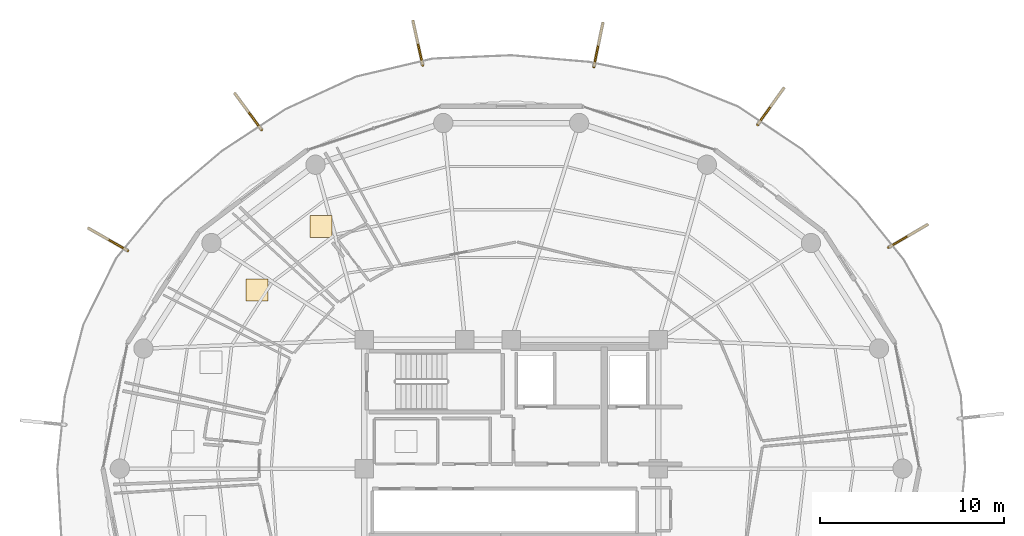
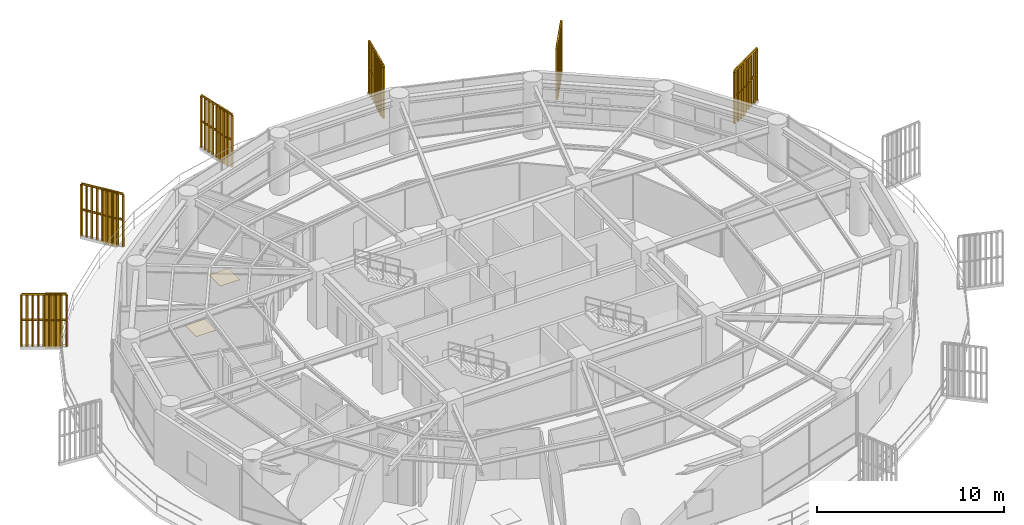
# One storey, part 31 of 31: 6 railings, 6 shading devices, 2 coverings.
"""IFC4 building model written with IfcOpenShell, lengths in metres."""

from ifc_helpers import new_model, si_unit, direction, frame, origin, origin_2d, place, context, subcontext, project, spatial, polyline, rectangle, outline, extrude, source, transform, mapped, material, layer, layer_set, type_object, element, save


model = new_model("IFC4")

# Units and contexts
model_context = context("Model", 3, precision=1e-05, world=origin(), true_north=direction((0.0, 1.0)))
body_context = subcontext(model_context, "Body", "Model", "MODEL_VIEW")
ifc_project = project(units=[si_unit("LENGTHUNIT", "METRE"), si_unit("AREAUNIT", "SQUARE_METRE"), si_unit("VOLUMEUNIT", "CUBIC_METRE"), si_unit("PLANEANGLEUNIT", "RADIAN"), si_unit("MASSUNIT", "GRAM", prefix="KILO")], contexts=[model_context])

# Site, building, storey
site_placement = place(None, origin())
site = spatial("IfcSite", under=ifc_project, at=site_placement, CompositionType="ELEMENT")
building_placement = place(site_placement, origin())
building = spatial("IfcBuilding", under=site, at=building_placement, Name="Kelanora Arch Commons", CompositionType="ELEMENT")
storey_placement = place(building_placement, frame((0.0, 0.0, 230.699951171875)))
storey = spatial("IfcBuildingStorey", under=building, at=storey_placement, Name="L59", CompositionType="ELEMENT", Elevation=230.699951171875)

# Railings
ifc_material_1 = material(Name="Anodised bronze vertical shading fin rib assembly")
railing_type = type_object("IfcRailingType", Name="RAIL-FIN-BRZ", PredefinedType="BALUSTRADE", material=ifc_material_1)
railing_1_placement = place(storey_placement, frame((94.521484375, 70.0302734375, -0.02001953125)))
element("IfcRailing", 1, at=railing_1_placement, inside=storey, type_object=railing_type, Name="Sweeping Bronze Vertical Fin Blade L59-03", PredefinedType="BALUSTRADE", context=body_context, shape_type="SweptSolid", body=[
    extrude(outline(polyline([(0.06982421875, 0.0), (0.034912109375, 0.060546875), (-0.034912109375, 0.060546875), (-0.06982421875, 0.0), (-0.034912109375, -0.060546875), (0.034912109375, -0.060546875), (0.06982421875, 0.0)])), frame((0.0, 0.0, 3.419921875), z_axis=(0.862690408519, 0.505732398655, 0.0), x_axis=(-0.505732398655, 0.862690408519, 0.0)), (0.0, 0.0, 1.0), 2.4287109375),
    extrude(outline(polyline([(0.06982421875, 0.0), (0.034912109375, 0.060546875), (-0.034912109375, 0.060546875), (-0.06982421875, 0.0), (-0.034912109375, -0.060546875), (0.034912109375, -0.060546875), (0.06982421875, 0.0)])), frame((0.0, 0.0, 1.7451171875), z_axis=(0.862690408519, 0.505732398655, 0.0), x_axis=(-0.505732398655, 0.862690408519, 0.0)), (0.0, 0.0, 1.0), 2.4287109375),
    extrude(outline(polyline([(0.080078125, 0.0), (0.0400390625, 0.0693359375), (-0.0400390625, 0.0693359375), (-0.080078125, 0.0), (-0.0400390625, -0.0693359375), (0.0400390625, -0.0693359375), (0.080078125, 0.0)])), origin(), (0.0, 0.0, 1.0), 3.35009765625),
    extrude(outline(polyline([(0.080078125, 0.0), (0.0400390625, 0.0693359375), (-0.0400390625, 0.0693359375), (-0.080078125, 0.0), (-0.0400390625, -0.0693359375), (0.0400390625, -0.0693359375), (0.080078125, 0.0)])), frame((0.261962890625, 0.153564453125, 0.0)), (0.0, 0.0, 1.0), 3.35009765625),
    extrude(outline(polyline([(0.080078125, 0.0), (0.0400390625, 0.0693359375), (-0.0400390625, 0.0693359375), (-0.080078125, 0.0), (-0.0400390625, -0.0693359375), (0.0400390625, -0.0693359375), (0.080078125, 0.0)])), frame((0.52392578125, 0.30712890625, 0.0)), (0.0, 0.0, 1.0), 3.35009765625),
    extrude(outline(polyline([(0.080078125, 0.0), (0.0400390625, 0.0693359375), (-0.0400390625, 0.0693359375), (-0.080078125, 0.0), (-0.0400390625, -0.0693359375), (0.0400390625, -0.0693359375), (0.080078125, 0.0)])), frame((0.78564453125, 0.460693359375, 0.0)), (0.0, 0.0, 1.0), 3.35009765625),
    extrude(outline(polyline([(0.080078125, 0.0), (0.0400390625, 0.0693359375), (-0.0400390625, 0.0693359375), (-0.080078125, 0.0), (-0.0400390625, -0.0693359375), (0.0400390625, -0.0693359375), (0.080078125, 0.0)])), frame((1.047607421875, 0.6142578125, 0.0)), (0.0, 0.0, 1.0), 3.35009765625),
    extrude(outline(polyline([(0.080078125, 0.0), (0.0400390625, 0.0693359375), (-0.0400390625, 0.0693359375), (-0.080078125, 0.0), (-0.0400390625, -0.0693359375), (0.0400390625, -0.0693359375), (0.080078125, 0.0)])), frame((1.3095703125, 0.767578125, 0.0)), (0.0, 0.0, 1.0), 3.35009765625),
    extrude(outline(polyline([(0.080078125, 0.0), (0.0400390625, 0.0693359375), (-0.0400390625, 0.0693359375), (-0.080078125, 0.0), (-0.0400390625, -0.0693359375), (0.0400390625, -0.0693359375), (0.080078125, 0.0)])), frame((1.5712890625, 0.921142578125, 0.0)), (0.0, 0.0, 1.0), 3.35009765625),
    extrude(outline(polyline([(0.080078125, 0.0), (0.0400390625, 0.0693359375), (-0.0400390625, 0.0693359375), (-0.080078125, 0.0), (-0.0400390625, -0.0693359375), (0.0400390625, -0.0693359375), (0.080078125, 0.0)])), frame((1.833251953125, 1.07470703125, 0.0)), (0.0, 0.0, 1.0), 3.35009765625),
    extrude(outline(polyline([(0.080078125, 0.0), (0.0400390625, 0.0693359375), (-0.0400390625, 0.0693359375), (-0.080078125, 0.0), (-0.0400390625, -0.0693359375), (0.0400390625, -0.0693359375), (0.080078125, 0.0)])), frame((2.09521484375, 1.228271484375, 0.0)), (0.0, 0.0, 1.0), 3.35009765625),
])
railing_2_placement = place(storey_placement, frame((87.405029296875, 76.710205078125, -0.02001953125)))
element("IfcRailing", 2, at=railing_2_placement, inside=storey, type_object=railing_type, Name="Sweeping Bronze Vertical Fin Blade L59-04", PredefinedType="BALUSTRADE", context=body_context, shape_type="SweptSolid", body=[
    extrude(outline(polyline([(0.06982421875, 0.0), (0.034912109375, 0.060546875), (-0.034912109375, 0.060546875), (-0.06982421875, 0.0), (-0.034912109375, -0.060546875), (0.034912109375, -0.060546875), (0.06982421875, 0.0)])), frame((0.0, 0.0, 3.419921875), z_axis=(0.582407145645, 0.812897236249, 0.0), x_axis=(-0.812897236249, 0.582407145645, 0.0)), (0.0, 0.0, 1.0), 2.4287109375),
    extrude(outline(polyline([(0.06982421875, 0.0), (0.034912109375, 0.060546875), (-0.034912109375, 0.060546875), (-0.06982421875, 0.0), (-0.034912109375, -0.060546875), (0.034912109375, -0.060546875), (0.06982421875, 0.0)])), frame((0.0, 0.0, 1.7451171875), z_axis=(0.582407145645, 0.812897236249, 0.0), x_axis=(-0.812897236249, 0.582407145645, 0.0)), (0.0, 0.0, 1.0), 2.4287109375),
    extrude(outline(polyline([(0.080078125, 0.0), (0.0400390625, 0.0693359375), (-0.0400390625, 0.0693359375), (-0.080078125, 0.0), (-0.0400390625, -0.0693359375), (0.0400390625, -0.0693359375), (0.080078125, 0.0)])), origin(), (0.0, 0.0, 1.0), 3.35009765625),
    extrude(outline(polyline([(0.080078125, 0.0), (0.0400390625, 0.0693359375), (-0.0400390625, 0.0693359375), (-0.080078125, 0.0), (-0.0400390625, -0.0693359375), (0.0400390625, -0.0693359375), (0.080078125, 0.0)])), frame((0.1767578125, 0.246826171875, 0.0)), (0.0, 0.0, 1.0), 3.35009765625),
    extrude(outline(polyline([(0.080078125, 0.0), (0.0400390625, 0.0693359375), (-0.0400390625, 0.0693359375), (-0.080078125, 0.0), (-0.0400390625, -0.0693359375), (0.0400390625, -0.0693359375), (0.080078125, 0.0)])), frame((0.353515625, 0.49365234375, 0.0)), (0.0, 0.0, 1.0), 3.35009765625),
    extrude(outline(polyline([(0.080078125, 0.0), (0.0400390625, 0.0693359375), (-0.0400390625, 0.0693359375), (-0.080078125, 0.0), (-0.0400390625, -0.0693359375), (0.0400390625, -0.0693359375), (0.080078125, 0.0)])), frame((0.530517578125, 0.740478515625, 0.0)), (0.0, 0.0, 1.0), 3.35009765625),
    extrude(outline(polyline([(0.080078125, 0.0), (0.0400390625, 0.0693359375), (-0.0400390625, 0.0693359375), (-0.080078125, 0.0), (-0.0400390625, -0.0693359375), (0.0400390625, -0.0693359375), (0.080078125, 0.0)])), frame((0.707275390625, 0.9873046875, 0.0)), (0.0, 0.0, 1.0), 3.35009765625),
    extrude(outline(polyline([(0.080078125, 0.0), (0.0400390625, 0.0693359375), (-0.0400390625, 0.0693359375), (-0.080078125, 0.0), (-0.0400390625, -0.0693359375), (0.0400390625, -0.0693359375), (0.080078125, 0.0)])), frame((0.884033203125, 1.23388671875, 0.0)), (0.0, 0.0, 1.0), 3.35009765625),
    extrude(outline(polyline([(0.080078125, 0.0), (0.0400390625, 0.0693359375), (-0.0400390625, 0.0693359375), (-0.080078125, 0.0), (-0.0400390625, -0.0693359375), (0.0400390625, -0.0693359375), (0.080078125, 0.0)])), frame((1.06103515625, 1.480712890625, 0.0)), (0.0, 0.0, 1.0), 3.35009765625),
    extrude(outline(polyline([(0.080078125, 0.0), (0.0400390625, 0.0693359375), (-0.0400390625, 0.0693359375), (-0.080078125, 0.0), (-0.0400390625, -0.0693359375), (0.0400390625, -0.0693359375), (0.080078125, 0.0)])), frame((1.23779296875, 1.7275390625, 0.0)), (0.0, 0.0, 1.0), 3.35009765625),
    extrude(outline(polyline([(0.080078125, 0.0), (0.0400390625, 0.0693359375), (-0.0400390625, 0.0693359375), (-0.080078125, 0.0), (-0.0400390625, -0.0693359375), (0.0400390625, -0.0693359375), (0.080078125, 0.0)])), frame((1.41455078125, 1.974365234375, 0.0)), (0.0, 0.0, 1.0), 3.35009765625),
])
railing_3_placement = place(storey_placement, frame((78.491455078125, 79.84228515625, -0.02001953125)))
element("IfcRailing", 3, at=railing_3_placement, inside=storey, type_object=railing_type, Name="Sweeping Bronze Vertical Fin Blade L59-05", PredefinedType="BALUSTRADE", context=body_context, shape_type="SweptSolid", body=[
    extrude(outline(polyline([(0.06982421875, 0.0), (0.034912109375, 0.060546875), (-0.034912109375, 0.060546875), (-0.06982421875, 0.0), (-0.034912109375, -0.060546875), (0.034912109375, -0.060546875), (0.06982421875, 0.0)])), frame((0.0, 0.0, 3.419921875), z_axis=(0.201448699651, 0.979499066569, 0.0), x_axis=(-0.979499066569, 0.201448699651, 0.0)), (0.0, 0.0, 1.0), 2.4287109375),
    extrude(outline(polyline([(0.06982421875, 0.0), (0.034912109375, 0.060546875), (-0.034912109375, 0.060546875), (-0.06982421875, 0.0), (-0.034912109375, -0.060546875), (0.034912109375, -0.060546875), (0.06982421875, 0.0)])), frame((0.0, 0.0, 1.7451171875), z_axis=(0.201448699651, 0.979499066569, 0.0), x_axis=(-0.979499066569, 0.201448699651, 0.0)), (0.0, 0.0, 1.0), 2.4287109375),
    extrude(outline(polyline([(0.080078125, 0.0), (0.0400390625, 0.0693359375), (-0.0400390625, 0.0693359375), (-0.080078125, 0.0), (-0.0400390625, -0.0693359375), (0.0400390625, -0.0693359375), (0.080078125, 0.0)])), origin(), (0.0, 0.0, 1.0), 3.35009765625),
    extrude(outline(polyline([(0.080078125, 0.0), (0.0400390625, 0.0693359375), (-0.0400390625, 0.0693359375), (-0.080078125, 0.0), (-0.0400390625, -0.0693359375), (0.0400390625, -0.0693359375), (0.080078125, 0.0)])), frame((0.06103515625, 0.29736328125, 0.0)), (0.0, 0.0, 1.0), 3.35009765625),
    extrude(outline(polyline([(0.080078125, 0.0), (0.0400390625, 0.0693359375), (-0.0400390625, 0.0693359375), (-0.080078125, 0.0), (-0.0400390625, -0.0693359375), (0.0400390625, -0.0693359375), (0.080078125, 0.0)])), frame((0.122314453125, 0.5947265625, 0.0)), (0.0, 0.0, 1.0), 3.35009765625),
    extrude(outline(polyline([(0.080078125, 0.0), (0.0400390625, 0.0693359375), (-0.0400390625, 0.0693359375), (-0.080078125, 0.0), (-0.0400390625, -0.0693359375), (0.0400390625, -0.0693359375), (0.080078125, 0.0)])), frame((0.18359375, 0.89208984375, 0.0)), (0.0, 0.0, 1.0), 3.35009765625),
    extrude(outline(polyline([(0.080078125, 0.0), (0.0400390625, 0.0693359375), (-0.0400390625, 0.0693359375), (-0.080078125, 0.0), (-0.0400390625, -0.0693359375), (0.0400390625, -0.0693359375), (0.080078125, 0.0)])), frame((0.24462890625, 1.189453125, 0.0)), (0.0, 0.0, 1.0), 3.35009765625),
    extrude(outline(polyline([(0.080078125, 0.0), (0.0400390625, 0.0693359375), (-0.0400390625, 0.0693359375), (-0.080078125, 0.0), (-0.0400390625, -0.0693359375), (0.0400390625, -0.0693359375), (0.080078125, 0.0)])), frame((0.3056640625, 1.48681640625, 0.0)), (0.0, 0.0, 1.0), 3.35009765625),
    extrude(outline(polyline([(0.080078125, 0.0), (0.0400390625, 0.0693359375), (-0.0400390625, 0.0693359375), (-0.080078125, 0.0), (-0.0400390625, -0.0693359375), (0.0400390625, -0.0693359375), (0.080078125, 0.0)])), frame((0.366943359375, 1.7841796875, 0.0)), (0.0, 0.0, 1.0), 3.35009765625),
    extrude(outline(polyline([(0.080078125, 0.0), (0.0400390625, 0.0693359375), (-0.0400390625, 0.0693359375), (-0.080078125, 0.0), (-0.0400390625, -0.0693359375), (0.0400390625, -0.0693359375), (0.080078125, 0.0)])), frame((0.42822265625, 2.08154296875, 0.0)), (0.0, 0.0, 1.0), 3.35009765625),
    extrude(outline(polyline([(0.080078125, 0.0), (0.0400390625, 0.0693359375), (-0.0400390625, 0.0693359375), (-0.080078125, 0.0), (-0.0400390625, -0.0693359375), (0.0400390625, -0.0693359375), (0.080078125, 0.0)])), frame((0.4892578125, 2.37890625, 0.0)), (0.0, 0.0, 1.0), 3.35009765625),
])
railing_4_placement = place(storey_placement, frame((69.18359375, 79.94287109375, -0.02001953125)))
element("IfcRailing", 4, at=railing_4_placement, inside=storey, type_object=railing_type, Name="Sweeping Bronze Vertical Fin Blade L59-06", PredefinedType="BALUSTRADE", context=body_context, shape_type="SweptSolid", body=[
    extrude(outline(polyline([(0.06982421875, 0.0), (0.034912109375, 0.060546875), (-0.034912109375, 0.060546875), (-0.06982421875, 0.0), (-0.034912109375, -0.060546875), (0.034912109375, -0.060546875), (0.06982421875, 0.0)])), frame((0.0, 0.0, 3.419921875), z_axis=(-0.214407294843, 0.976744343172, 0.0), x_axis=(-0.976744343172, -0.214407294843, 0.0)), (0.0, 0.0, 1.0), 2.4287109375),
    extrude(outline(polyline([(0.06982421875, 0.0), (0.034912109375, 0.060546875), (-0.034912109375, 0.060546875), (-0.06982421875, 0.0), (-0.034912109375, -0.060546875), (0.034912109375, -0.060546875), (0.06982421875, 0.0)])), frame((0.0, 0.0, 1.7451171875), z_axis=(-0.214407294843, 0.976744343172, 0.0), x_axis=(-0.976744343172, -0.214407294843, 0.0)), (0.0, 0.0, 1.0), 2.4287109375),
    extrude(outline(polyline([(0.080078125, 0.0), (0.0400390625, 0.0693359375), (-0.0400390625, 0.0693359375), (-0.080078125, 0.0), (-0.0400390625, -0.0693359375), (0.0400390625, -0.0693359375), (0.080078125, 0.0)])), origin(), (0.0, 0.0, 1.0), 3.35009765625),
    extrude(outline(polyline([(0.080078125, 0.0), (0.0400390625, 0.0693359375), (-0.0400390625, 0.0693359375), (-0.080078125, 0.0), (-0.0400390625, -0.0693359375), (0.0400390625, -0.0693359375), (0.080078125, 0.0)])), frame((-0.065185546875, 0.296630859375, 0.0)), (0.0, 0.0, 1.0), 3.35009765625),
    extrude(outline(polyline([(0.080078125, 0.0), (0.0400390625, 0.0693359375), (-0.0400390625, 0.0693359375), (-0.080078125, 0.0), (-0.0400390625, -0.0693359375), (0.0400390625, -0.0693359375), (0.080078125, 0.0)])), frame((-0.130126953125, 0.593017578125, 0.0)), (0.0, 0.0, 1.0), 3.35009765625),
    extrude(outline(polyline([(0.080078125, 0.0), (0.0400390625, 0.0693359375), (-0.0400390625, 0.0693359375), (-0.080078125, 0.0), (-0.0400390625, -0.0693359375), (0.0400390625, -0.0693359375), (0.080078125, 0.0)])), frame((-0.1953125, 0.8896484375, 0.0)), (0.0, 0.0, 1.0), 3.35009765625),
    extrude(outline(polyline([(0.080078125, 0.0), (0.0400390625, 0.0693359375), (-0.0400390625, 0.0693359375), (-0.080078125, 0.0), (-0.0400390625, -0.0693359375), (0.0400390625, -0.0693359375), (0.080078125, 0.0)])), frame((-0.26025390625, 1.18603515625, 0.0)), (0.0, 0.0, 1.0), 3.35009765625),
    extrude(outline(polyline([(0.080078125, 0.0), (0.0400390625, 0.0693359375), (-0.0400390625, 0.0693359375), (-0.080078125, 0.0), (-0.0400390625, -0.0693359375), (0.0400390625, -0.0693359375), (0.080078125, 0.0)])), frame((-0.325439453125, 1.482666015625, 0.0)), (0.0, 0.0, 1.0), 3.35009765625),
    extrude(outline(polyline([(0.080078125, 0.0), (0.0400390625, 0.0693359375), (-0.0400390625, 0.0693359375), (-0.080078125, 0.0), (-0.0400390625, -0.0693359375), (0.0400390625, -0.0693359375), (0.080078125, 0.0)])), frame((-0.390625, 1.779296875, 0.0)), (0.0, 0.0, 1.0), 3.35009765625),
    extrude(outline(polyline([(0.080078125, 0.0), (0.0400390625, 0.0693359375), (-0.0400390625, 0.0693359375), (-0.080078125, 0.0), (-0.0400390625, -0.0693359375), (0.0400390625, -0.0693359375), (0.080078125, 0.0)])), frame((-0.45556640625, 2.07568359375, 0.0)), (0.0, 0.0, 1.0), 3.35009765625),
    extrude(outline(polyline([(0.080078125, 0.0), (0.0400390625, 0.0693359375), (-0.0400390625, 0.0693359375), (-0.080078125, 0.0), (-0.0400390625, -0.0693359375), (0.0400390625, -0.0693359375), (0.080078125, 0.0)])), frame((-0.520751953125, 2.372314453125, 0.0)), (0.0, 0.0, 1.0), 3.35009765625),
])
railing_5_placement = place(storey_placement, frame((60.425048828125, 76.426025390625, -0.02001953125)))
element("IfcRailing", 5, at=railing_5_placement, inside=storey, type_object=railing_type, Name="Sweeping Bronze Vertical Fin Blade L59-07", PredefinedType="BALUSTRADE", context=body_context, shape_type="SweptSolid", body=[
    extrude(outline(polyline([(0.06982421875, 0.0), (0.034912109375, 0.060546875), (-0.034912109375, 0.060546875), (-0.06982421875, 0.0), (-0.034912109375, -0.060546875), (0.034912109375, -0.060546875), (0.06982421875, 0.0)])), frame((0.0, 0.0, 3.419921875), z_axis=(-0.593127034466, 0.805108887658, 0.0), x_axis=(-0.805108887658, -0.593127034466, 0.0)), (0.0, 0.0, 1.0), 2.428955078125),
    extrude(outline(polyline([(0.06982421875, 0.0), (0.034912109375, 0.060546875), (-0.034912109375, 0.060546875), (-0.06982421875, 0.0), (-0.034912109375, -0.060546875), (0.034912109375, -0.060546875), (0.06982421875, 0.0)])), frame((0.0, 0.0, 1.7451171875), z_axis=(-0.593127034466, 0.805108887658, 0.0), x_axis=(-0.805108887658, -0.593127034466, 0.0)), (0.0, 0.0, 1.0), 2.428955078125),
    extrude(outline(polyline([(0.080078125, 0.0), (0.0400390625, 0.0693359375), (-0.0400390625, 0.0693359375), (-0.080078125, 0.0), (-0.0400390625, -0.0693359375), (0.0400390625, -0.0693359375), (0.080078125, 0.0)])), origin(), (0.0, 0.0, 1.0), 3.35009765625),
    extrude(outline(polyline([(0.080078125, 0.0), (0.0400390625, 0.0693359375), (-0.0400390625, 0.0693359375), (-0.080078125, 0.0), (-0.0400390625, -0.0693359375), (0.0400390625, -0.0693359375), (0.080078125, 0.0)])), frame((-0.18017578125, 0.244384765625, 0.0)), (0.0, 0.0, 1.0), 3.35009765625),
    extrude(outline(polyline([(0.080078125, 0.0), (0.0400390625, 0.0693359375), (-0.0400390625, 0.0693359375), (-0.080078125, 0.0), (-0.0400390625, -0.0693359375), (0.0400390625, -0.0693359375), (0.080078125, 0.0)])), frame((-0.360107421875, 0.48876953125, 0.0)), (0.0, 0.0, 1.0), 3.35009765625),
    extrude(outline(polyline([(0.080078125, 0.0), (0.0400390625, 0.0693359375), (-0.0400390625, 0.0693359375), (-0.080078125, 0.0), (-0.0400390625, -0.0693359375), (0.0400390625, -0.0693359375), (0.080078125, 0.0)])), frame((-0.540283203125, 0.7333984375, 0.0)), (0.0, 0.0, 1.0), 3.35009765625),
    extrude(outline(polyline([(0.080078125, 0.0), (0.0400390625, 0.0693359375), (-0.0400390625, 0.0693359375), (-0.080078125, 0.0), (-0.0400390625, -0.0693359375), (0.0400390625, -0.0693359375), (0.080078125, 0.0)])), frame((-0.72021484375, 0.977783203125, 0.0)), (0.0, 0.0, 1.0), 3.35009765625),
    extrude(outline(polyline([(0.080078125, 0.0), (0.0400390625, 0.0693359375), (-0.0400390625, 0.0693359375), (-0.080078125, 0.0), (-0.0400390625, -0.0693359375), (0.0400390625, -0.0693359375), (0.080078125, 0.0)])), frame((-0.900390625, 1.22216796875, 0.0)), (0.0, 0.0, 1.0), 3.35009765625),
    extrude(outline(polyline([(0.080078125, 0.0), (0.0400390625, 0.0693359375), (-0.0400390625, 0.0693359375), (-0.080078125, 0.0), (-0.0400390625, -0.0693359375), (0.0400390625, -0.0693359375), (0.080078125, 0.0)])), frame((-1.08056640625, 1.466796875, 0.0)), (0.0, 0.0, 1.0), 3.35009765625),
    extrude(outline(polyline([(0.080078125, 0.0), (0.0400390625, 0.0693359375), (-0.0400390625, 0.0693359375), (-0.080078125, 0.0), (-0.0400390625, -0.0693359375), (0.0400390625, -0.0693359375), (0.080078125, 0.0)])), frame((-1.260498046875, 1.711181640625, 0.0)), (0.0, 0.0, 1.0), 3.35009765625),
    extrude(outline(polyline([(0.080078125, 0.0), (0.0400390625, 0.0693359375), (-0.0400390625, 0.0693359375), (-0.080078125, 0.0), (-0.0400390625, -0.0693359375), (0.0400390625, -0.0693359375), (0.080078125, 0.0)])), frame((-1.440673828125, 1.95556640625, 0.0)), (0.0, 0.0, 1.0), 3.35009765625),
])
railing_6_placement = place(storey_placement, frame((53.1435546875, 69.857666015625, -0.02001953125)))
element("IfcRailing", 6, at=railing_6_placement, inside=storey, type_object=railing_type, Name="Sweeping Bronze Vertical Fin Blade L59-08", PredefinedType="BALUSTRADE", context=body_context, shape_type="SweptSolid", body=[
    extrude(outline(polyline([(0.06982421875, 0.0), (0.034912109375, 0.060546875), (-0.034912109375, 0.060546875), (-0.06982421875, 0.0), (-0.034912109375, -0.060546875), (0.034912109375, -0.060546875), (0.06982421875, 0.0)])), frame((0.0, 0.0, 3.419921875), z_axis=(-0.869311291344, 0.494264988383, 0.0), x_axis=(-0.494264988383, -0.869311291344, 0.0)), (0.0, 0.0, 1.0), 2.4287109375),
    extrude(outline(polyline([(0.06982421875, 0.0), (0.034912109375, 0.060546875), (-0.034912109375, 0.060546875), (-0.06982421875, 0.0), (-0.034912109375, -0.060546875), (0.034912109375, -0.060546875), (0.06982421875, 0.0)])), frame((0.0, 0.0, 1.7451171875), z_axis=(-0.869311291344, 0.494264988383, 0.0), x_axis=(-0.494264988383, -0.869311291344, 0.0)), (0.0, 0.0, 1.0), 2.4287109375),
    extrude(outline(polyline([(0.080078125, 0.0), (0.0400390625, 0.0693359375), (-0.0400390625, 0.0693359375), (-0.080078125, 0.0), (-0.0400390625, -0.0693359375), (0.0400390625, -0.0693359375), (0.080078125, 0.0)])), origin(), (0.0, 0.0, 1.0), 3.35009765625),
    extrude(outline(polyline([(0.080078125, 0.0), (0.0400390625, 0.0693359375), (-0.0400390625, 0.0693359375), (-0.080078125, 0.0), (-0.0400390625, -0.0693359375), (0.0400390625, -0.0693359375), (0.080078125, 0.0)])), frame((-0.263916015625, 0.150146484375, 0.0)), (0.0, 0.0, 1.0), 3.35009765625),
    extrude(outline(polyline([(0.080078125, 0.0), (0.0400390625, 0.0693359375), (-0.0400390625, 0.0693359375), (-0.080078125, 0.0), (-0.0400390625, -0.0693359375), (0.0400390625, -0.0693359375), (0.080078125, 0.0)])), frame((-0.52783203125, 0.300048828125, 0.0)), (0.0, 0.0, 1.0), 3.35009765625),
    extrude(outline(polyline([(0.080078125, 0.0), (0.0400390625, 0.0693359375), (-0.0400390625, 0.0693359375), (-0.080078125, 0.0), (-0.0400390625, -0.0693359375), (0.0400390625, -0.0693359375), (0.080078125, 0.0)])), frame((-0.791748046875, 0.4501953125, 0.0)), (0.0, 0.0, 1.0), 3.35009765625),
    extrude(outline(polyline([(0.080078125, 0.0), (0.0400390625, 0.0693359375), (-0.0400390625, 0.0693359375), (-0.080078125, 0.0), (-0.0400390625, -0.0693359375), (0.0400390625, -0.0693359375), (0.080078125, 0.0)])), frame((-1.0556640625, 0.60009765625, 0.0)), (0.0, 0.0, 1.0), 3.35009765625),
    extrude(outline(polyline([(0.080078125, 0.0), (0.0400390625, 0.0693359375), (-0.0400390625, 0.0693359375), (-0.080078125, 0.0), (-0.0400390625, -0.0693359375), (0.0400390625, -0.0693359375), (0.080078125, 0.0)])), frame((-1.319580078125, 0.750244140625, 0.0)), (0.0, 0.0, 1.0), 3.35009765625),
    extrude(outline(polyline([(0.080078125, 0.0), (0.0400390625, 0.0693359375), (-0.0400390625, 0.0693359375), (-0.080078125, 0.0), (-0.0400390625, -0.0693359375), (0.0400390625, -0.0693359375), (0.080078125, 0.0)])), frame((-1.58349609375, 0.900390625, 0.0)), (0.0, 0.0, 1.0), 3.35009765625),
    extrude(outline(polyline([(0.080078125, 0.0), (0.0400390625, 0.0693359375), (-0.0400390625, 0.0693359375), (-0.080078125, 0.0), (-0.0400390625, -0.0693359375), (0.0400390625, -0.0693359375), (0.080078125, 0.0)])), frame((-1.847412109375, 1.05029296875, 0.0)), (0.0, 0.0, 1.0), 3.35009765625),
    extrude(outline(polyline([(0.080078125, 0.0), (0.0400390625, 0.0693359375), (-0.0400390625, 0.0693359375), (-0.080078125, 0.0), (-0.0400390625, -0.0693359375), (0.0400390625, -0.0693359375), (0.080078125, 0.0)])), frame((-2.111328125, 1.200439453125, 0.0)), (0.0, 0.0, 1.0), 3.35009765625),
])

# Shading devices
ifc_material_2 = material(Name="Terracotta ceramic-clad extruded aluminium fin", Category="masonry")
shading_device_type = type_object("IfcShadingDeviceType", Name="SHD-FIN-FLARE", PredefinedType="USERDEFINED", material=ifc_material_2)
shared_shape_1 = source(origin(), body_context, "Body", "SweptSolid", [
    extrude(rectangle(XDim=0.8798828125, YDim=0.090087890625, at=origin_2d()), origin(), (0.0, 0.0, 1.0), 3.610107421875),
])
for number, where, z_axis, x_axis, name in (
    (7, (95.142578125, 70.394287109375, -0.14013671875), (0.0, 0.0, 1.0), (0.862690255763, 0.505732659231, 0.0), "Sweeping Terracotta Fin L59-03"),
    (8, (87.824462890625, 77.295654296875, -0.14013671875), (0.0, 0.0, 1.0), (0.582406760395, 0.812897512265, 0.0), "Sweeping Terracotta Fin L59-04"),
    (9, (78.636474609375, 80.547607421875, -0.14013671875), (0.0, 0.0, 1.0), (0.201419845156, 0.979505000486, 0.0), "Sweeping Terracotta Fin L59-05"),
    (10, (69.029296875, 80.64599609375, -0.14013671875), (0.0, 0.0, 1.0), (-0.214394391152, 0.9767471756, 0.0), "Sweeping Terracotta Fin L59-06"),
    (11, (59.998046875, 77.005859375, -0.14013671875), (0.0, 0.0, 1.0), (-0.593137889518, 0.805100890583, 0.0), "Sweeping Terracotta Fin L59-07"),
    (12, (52.517578125, 70.21337890625, -0.14013671875), (0.0, 0.0, 1.0), (-0.869322458298, 0.494245347472, 0.0), "Sweeping Terracotta Fin L59-08"),
):
    element("IfcShadingDevice", number, at=place(storey_placement, frame(where, z_axis=z_axis, x_axis=x_axis)), inside=storey, type_object=shading_device_type, Name=name, ObjectType="FIN", PredefinedType="USERDEFINED", context=body_context, shape_type="MappedRepresentation", body=[
        mapped(shared_shape_1, transform((0.0, 0.0, 0.0), scale=1.0)),
    ])

# Coverings
ifc_material_3 = material(Name="Polished local granite terrazzo flooring", Category="masonry")
ifc_layer = layer(ifc_material_3, 0.030029296875)
ifc_layer_set = layer_set([ifc_layer], Name="Polished local granite terrazzo flooring")
covering_type = type_object("IfcCoveringType", Name="COV-FLR-TER", PredefinedType="FLOORING", material=ifc_layer_set)
shared_shape_2 = source(origin(), body_context, "Body", "SweptSolid", [
    extrude(rectangle(XDim=1.199951171875, YDim=1.199951171875, at=origin_2d()), origin(), (0.0, 0.0, 1.0), 0.030029296875),
])
for number, where, z_axis, x_axis, name in (
    (13, (63.6494140625, 71.154296875, 0.0), (0.0, 0.0, 1.0), (1.0, 0.0, 0.0), "Cluster Bedroom L59-01 Terrazzo Finish"),
    (14, (60.17529296875, 67.714111328125, 0.0), (0.0, 0.0, 1.0), (1.0, 0.0, 0.0), "Social Sky Lounge L59-02 Terrazzo Finish"),
):
    element("IfcCovering", number, at=place(storey_placement, frame(where, z_axis=z_axis, x_axis=x_axis)), inside=storey, type_object=covering_type, Name=name, PredefinedType="FLOORING", context=body_context, shape_type="MappedRepresentation", body=[
        mapped(shared_shape_2, transform((0.0, 0.0, 0.0), scale=1.0)),
    ])

save(model, "model.ifc")
